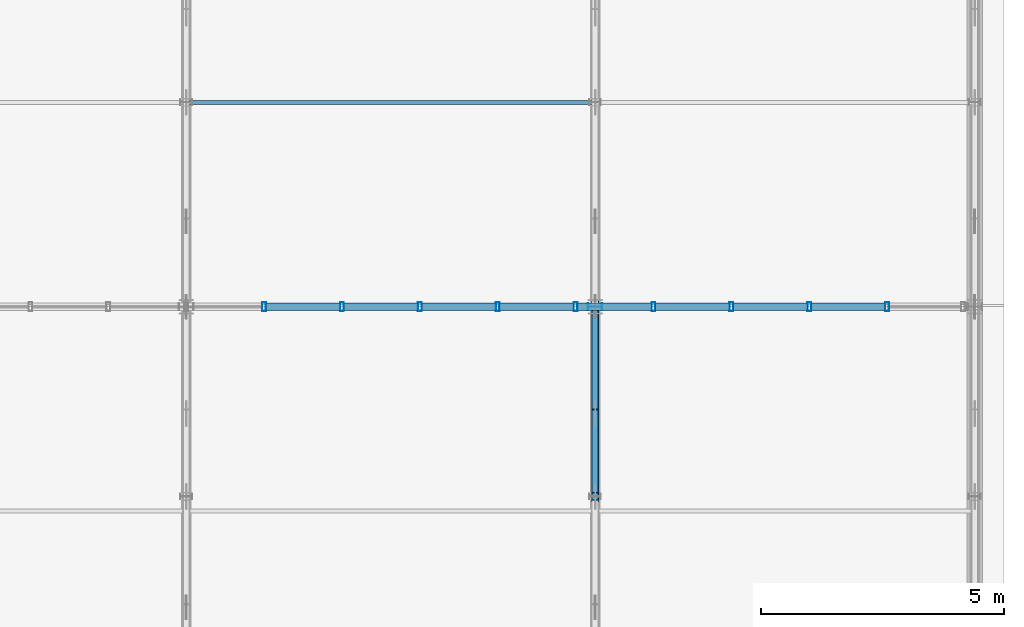
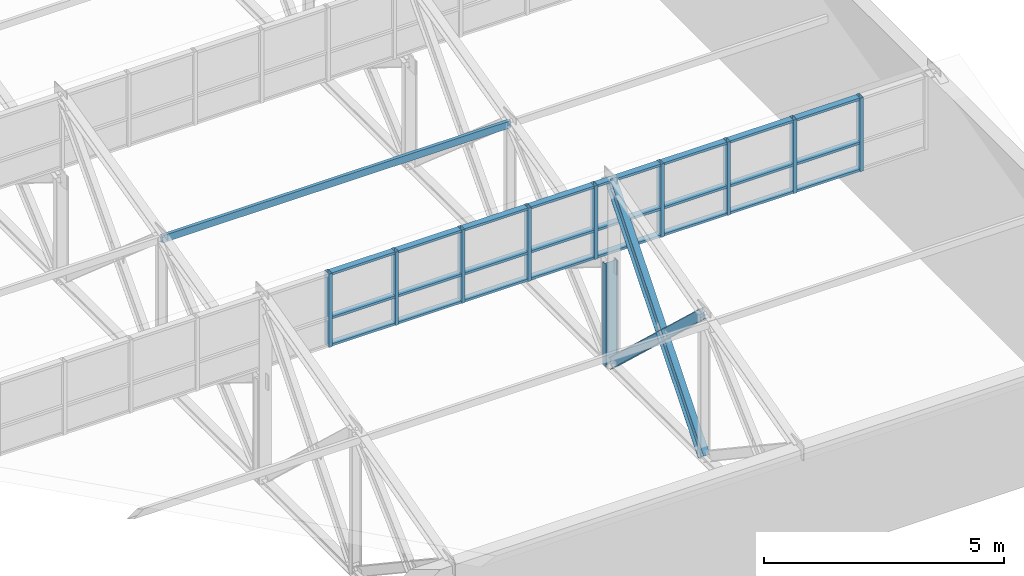
# One storey, part 77 of 123: 38 members, 1 element without a shape of its own.
"""IFC4 building model written with IfcOpenShell, lengths in metres."""

import ifcopenshell
import ifcopenshell.guid

model = None  # the IFC model being written
_history = None  # IfcOwnerHistory: only IFC2X3 demands one
_inside = {}  # id of a spatial element -> (the spatial element, [elements in it])
_under = {}  # id of a project, library or spatial element -> (it, [spatial elements below it])
_declared = {}  # id of a project -> (the project, [libraries it declares])
_typed = {}  # id of a type object -> (the type object, [elements of that type])
_made_of = {}  # id of a material, layer set ... -> (it, [elements and type objects made of it])


def new_model(schema):
    """Start an empty IFC model of exactly this schema.

    Asked for "IFC4X3", IfcOpenShell would pick the latest addendum, in which some entities
    have other attributes; the version numbers below select the first issue.
    IFC2X3 requires an IfcOwnerHistory on every rooted entity: one is made here for all.
    """
    global model, _history
    if schema == "IFC4X3":
        model = ifcopenshell.file(schema_version=(4, 3, 0, 0))
    else:
        model = ifcopenshell.file(schema=schema)
    _inside.clear()
    _under.clear()
    _declared.clear()
    _typed.clear()
    _made_of.clear()
    _history = None
    if model.schema == "IFC2X3":
        org = make("IfcOrganization", Name="unknown")
        user = make(
            "IfcPersonAndOrganization",
            ThePerson=make("IfcPerson", FamilyName="unknown"),
            TheOrganization=org,
        )
        app = make(
            "IfcApplication",
            ApplicationDeveloper=org,
            Version="unknown",
            ApplicationFullName="unknown",
            ApplicationIdentifier="unknown",
        )
        _history = make(
            "IfcOwnerHistory",
            OwningUser=user,
            OwningApplication=app,
            ChangeAction="ADDED",
            CreationDate=0,
        )
    return model


def make(cls, **values):
    """One entity of the class cls with the attributes given. An attribute that is None is left unset."""
    return model.create_entity(
        cls, **{name: value for name, value in values.items() if value is not None}
    )


def rooted(cls, **values):
    """An entity with a GlobalId (a new one), such as an element, a storey or a relation."""
    return make(cls, GlobalId=ifcopenshell.guid.new(), OwnerHistory=_history, **values)


def si_unit(unit_type, name, prefix=None):
    """IfcSIUnit, for example si_unit("LENGTHUNIT", "METRE", prefix="MILLI")."""
    return make("IfcSIUnit", UnitType=unit_type, Prefix=prefix, Name=name)


def assignment(units):
    """IfcUnitAssignment: the units of a project."""
    return None if units is None else make("IfcUnitAssignment", Units=units)


def point(xyz):
    """IfcCartesianPoint."""
    return None if xyz is None else make("IfcCartesianPoint", Coordinates=xyz)


def direction(xyz):
    """IfcDirection."""
    return None if xyz is None else make("IfcDirection", DirectionRatios=xyz)


def frame(location, z_axis=None, x_axis=None):
    """IfcAxis2Placement3D, a coordinate frame: its origin and axes. An axis left out is left unset."""
    return make(
        "IfcAxis2Placement3D",
        Location=point(location),
        Axis=direction(z_axis),
        RefDirection=direction(x_axis),
    )


def frame_2d(location, x_axis=None):
    """IfcAxis2Placement2D, a coordinate frame in the plane: its origin and x axis."""
    return make(
        "IfcAxis2Placement2D", Location=point(location), RefDirection=direction(x_axis)
    )


def origin():
    """The frame at (0, 0, 0) with its axes left unset."""
    return frame((0.0, 0.0, 0.0))


def origin_2d():
    """The frame at (0, 0) in the plane with its x axis left unset."""
    return frame_2d((0.0, 0.0))


def place(relative_to, where):
    """IfcLocalPlacement: puts the frame where relative to a parent placement (None: the world)."""
    return make(
        "IfcLocalPlacement", PlacementRelTo=relative_to, RelativePlacement=where
    )


def context(
    kind, dimensions, precision=None, world=None, true_north=None, identifier=None
):
    """IfcGeometricRepresentationContext, for example the 3D "Model" context."""
    return make(
        "IfcGeometricRepresentationContext",
        ContextIdentifier=identifier,
        ContextType=kind,
        CoordinateSpaceDimension=dimensions,
        Precision=precision,
        WorldCoordinateSystem=world,
        TrueNorth=true_north,
    )


def subcontext(parent, identifier, kind, view, scale=None):
    """IfcGeometricRepresentationSubContext, for example "Body" below "Model"."""
    return make(
        "IfcGeometricRepresentationSubContext",
        ContextIdentifier=identifier,
        ContextType=kind,
        ParentContext=parent,
        TargetScale=scale,
        TargetView=view,
    )


def project(units=None, contexts=None):
    """IfcProject with its units and contexts."""
    return rooted(
        "IfcProject",
        Name="project",
        RepresentationContexts=contexts,
        UnitsInContext=assignment(units),
    )


def spatial(cls, under=None, at=None, **own):
    """A site, building, storey or space (cls), placed at a placement, below another one or the project."""
    s = rooted(cls, ObjectPlacement=at, **own)
    if under is not None:
        _under.setdefault(under.id(), (under, []))[1].append(s)
    return s


def profile(cls, at=None, kind="AREA", **sizes):
    """A parametric profile (cls). Its sizes go by their IFC names, for example OverallWidth=200.0."""
    return make(cls, ProfileType=kind, Position=at, **sizes)


def hollow_rectangle(**sizes):
    """IfcRectangleHollowProfileDef."""
    return profile("IfcRectangleHollowProfileDef", **sizes)


def i_section(**sizes):
    """IfcIShapeProfileDef."""
    return profile("IfcIShapeProfileDef", **sizes)


def extrude(swept, where, along, depth):
    """IfcExtrudedAreaSolid: the profile swept, set in the frame where, extruded along a direction by depth."""
    return make(
        "IfcExtrudedAreaSolid",
        SweptArea=swept,
        Position=where,
        ExtrudedDirection=direction(along),
        Depth=depth,
    )


def shape(context_of_items, identifier, shape_type, items):
    """IfcShapeRepresentation: the items that make up one representation, for example the "Body"."""
    return make(
        "IfcShapeRepresentation",
        ContextOfItems=context_of_items,
        RepresentationIdentifier=identifier,
        RepresentationType=shape_type,
        Items=items,
    )


def material(Name=None, Category=None):
    """IfcMaterial."""
    return make("IfcMaterial", Name=Name, Category=Category)


def layer(
    of_material, thickness, ventilated=None, Name=None, Category=None, Priority=None
):
    """IfcMaterialLayer: one layer of a wall or slab, of a material (None: an air gap)."""
    return make(
        "IfcMaterialLayer",
        Material=of_material,
        LayerThickness=thickness,
        IsVentilated=ventilated,
        Name=Name,
        Category=Category,
        Priority=Priority,
    )


def layer_set(layers, Name=None):
    """IfcMaterialLayerSet."""
    return make("IfcMaterialLayerSet", MaterialLayers=layers, LayerSetName=Name)


def material_profile(
    of_material, cross_section, Name=None, Category=None, Priority=None
):
    """IfcMaterialProfile: a cross section and its material."""
    return make(
        "IfcMaterialProfile",
        Name=Name,
        Material=of_material,
        Profile=cross_section,
        Priority=Priority,
        Category=Category,
    )


def profile_set(profiles, Name=None, composite=None):
    """IfcMaterialProfileSet."""
    return make(
        "IfcMaterialProfileSet",
        Name=Name,
        MaterialProfiles=profiles,
        CompositeProfile=composite,
    )


def made_of(thing, what):
    """Note that an element or type object is made of a material, layer set ...; save() writes the relation."""
    if what is not None:
        _made_of.setdefault(what.id(), (what, []))[1].append(thing)
    return thing


def type_object(cls, material=None, **own):
    """A type object (cls), such as IfcWallType, which elements share."""
    return made_of(rooted(cls, **own), material)


def element(
    cls,
    number,
    at=None,
    inside=None,
    cuts=None,
    type_object=None,
    material=None,
    context=None,
    identifier="Body",
    shape_type=None,
    held_by="IfcProductDefinitionShape",
    body=None,
    shapes=None,
    **own,
):
    """One element of the class cls, such as IfcWall. Its Tag is "e" and its number.

    at: its placement. inside: the storey or other place that contains it. cuts: it is an
    opening in that element (IfcRelVoidsElement). A single representation is given by context,
    identifier, shape_type and body (its items); several are given by shapes. held_by: the class
    of the entity that holds the representations. save() writes the other relations.
    """
    e = rooted(cls, Tag="e%d" % number, ObjectPlacement=at, **own)
    if body is not None:
        shapes = [shape(context, identifier, shape_type, body)]
    if shapes is not None:
        e.Representation = make(held_by, Representations=shapes)
    if inside is not None:
        _inside.setdefault(inside.id(), (inside, []))[1].append(e)
    if cuts is not None:
        rooted(
            "IfcRelVoidsElement", RelatingBuildingElement=cuts, RelatedOpeningElement=e
        )
    if type_object is not None:
        _typed.setdefault(type_object.id(), (type_object, []))[1].append(e)
    return made_of(e, material)


def aggregate(whole, parts):
    """IfcRelAggregates: a whole, such as a stair, and the parts it consists of."""
    return rooted("IfcRelAggregates", RelatingObject=whole, RelatedObjects=parts)


def save(model, path):
    """Write the relations noted so far, then the file.

    IfcRelAggregates (storeys below a building ...), IfcRelContainedInSpatialStructure (elements
    in a storey), IfcRelDefinesByType, IfcRelAssociatesMaterial and IfcRelDeclares: one each for
    every whole, place, type object, material and project.
    """
    for whole, parts in _under.values():
        aggregate(whole, parts)
    for where, things in _inside.values():
        rooted(
            "IfcRelContainedInSpatialStructure",
            RelatedElements=things,
            RelatingStructure=where,
        )
    for kind, things in _typed.values():
        rooted("IfcRelDefinesByType", RelatedObjects=things, RelatingType=kind)
    for what, things in _made_of.values():
        rooted("IfcRelAssociatesMaterial", RelatedObjects=things, RelatingMaterial=what)
    for by, libraries in _declared.values():
        rooted("IfcRelDeclares", RelatingContext=by, RelatedDefinitions=libraries)
    model.write(path)


model = new_model("IFC4")

# Units and contexts
model_context = context("Model", 3, precision=1e-05, world=origin(), true_north=direction((0.0, 1.0)))
body_context = subcontext(model_context, "Body", "Model", "MODEL_VIEW")
ifc_project = project(units=[si_unit("LENGTHUNIT", "METRE"), si_unit("AREAUNIT", "SQUARE_METRE"), si_unit("VOLUMEUNIT", "CUBIC_METRE"), si_unit("PLANEANGLEUNIT", "RADIAN"), si_unit("MASSUNIT", "GRAM", prefix="KILO")], contexts=[model_context])

# Site, building, storey
site_placement = place(None, origin())
site = spatial("IfcSite", under=ifc_project, at=site_placement, CompositionType="ELEMENT")
building_placement = place(site_placement, origin())
building = spatial("IfcBuilding", under=site, at=building_placement, Name="Zayran Congress Hotel", CompositionType="ELEMENT")
storey_placement = place(building_placement, frame((0.0, 0.0, 15.0)))
storey = spatial("IfcBuildingStorey", under=building, at=storey_placement, Name="L03", CompositionType="ELEMENT", Elevation=15.0)

# Members
ifc_material_1 = material(Name="Steel S355", Category="steel")
ifc_material_profile_1 = material_profile(ifc_material_1, i_section(OverallWidth=0.14990234375, OverallDepth=0.300048828125, WebThickness=0.007080078125, FlangeThickness=0.0107421875, at=origin_2d()), Name="IPE 300")
ifc_profile_set_1 = profile_set([ifc_material_profile_1], Name="Steel S355")
member_type_1 = type_object("IfcMemberType", Name="TP-TR-BR1", PredefinedType="BRACE", material=ifc_profile_set_1)
member_1_placement = place(storey_placement, frame((176.39990234375, 13.300048828125, 0.0), z_axis=(0.0, 0.639018966279, 0.769190978065), x_axis=(-1.0, 0.0, 0.0)))
element("IfcMember", 1, at=member_1_placement, inside=storey, type_object=member_type_1, Name="Sawtooth Truss Diagonal Bay2 162", PredefinedType="BRACE", context=body_context, shape_type="SweptSolid", body=[
    extrude(i_section(OverallWidth=0.14990234375, OverallDepth=0.300048828125, WebThickness=0.007080078125, FlangeThickness=0.0107421875, at=origin_2d()), origin(), (0.0, 0.0, 1.0), 6.10302734375),
])
member_2_placement = place(storey_placement, frame((176.39990234375, 17.199951171875, 0.0), z_axis=(0.0, 0.0, 1.0), x_axis=(0.0, 1.0, 0.0)))
element("IfcMember", 2, at=member_2_placement, inside=storey, type_object=member_type_1, Name="TRV-01 Sawtooth Truss Strut", PredefinedType="BRACE", context=body_context, shape_type="SweptSolid", body=[
    extrude(i_section(OverallWidth=0.14990234375, OverallDepth=0.300048828125, WebThickness=0.007080078125, FlangeThickness=0.0107421875, at=origin_2d()), origin(), (0.0, 0.0, 1.0), 2.60009765625),
])
ifc_material_profile_2 = material_profile(ifc_material_1, i_section(OverallWidth=0.1201171875, OverallDepth=0.239990234375, WebThickness=0.006103515625, FlangeThickness=0.009765625, at=origin_2d()), Name="IPE 240")
ifc_profile_set_2 = profile_set([ifc_material_profile_2], Name="Steel S355")
member_type_2 = type_object("IfcMemberType", Name="TP-TR-BR2", PredefinedType="BRACE", material=ifc_profile_set_2)
member_3_placement = place(storey_placement, frame((176.39990234375, 13.300048828125, 3.647216796875), z_axis=(0.0, 0.730340857111, -0.683082888407), x_axis=(-1.0, 0.0, 0.0)))
element("IfcMember", 3, at=member_3_placement, inside=storey, type_object=member_type_2, Name="Sawtooth Truss Counter Diagonal Bay2 Upper 163", PredefinedType="BRACE", context=body_context, shape_type="SweptSolid", body=[
    extrude(i_section(OverallWidth=0.1201171875, OverallDepth=0.239990234375, WebThickness=0.006103515625, FlangeThickness=0.009765625, at=origin_2d()), origin(), (0.0, 0.0, 1.0), 2.319580078125),
])
member_4_placement = place(storey_placement, frame((176.39990234375, 15.01611328125, 2.042236328125), z_axis=(0.0, 0.7303896686, -0.683030696237), x_axis=(-1.0, 0.0, 0.0)))
element("IfcMember", 4, at=member_4_placement, inside=storey, type_object=member_type_2, Name="Sawtooth Truss Counter Diagonal Bay2 Lower 164", PredefinedType="BRACE", context=body_context, shape_type="SweptSolid", body=[
    extrude(i_section(OverallWidth=0.1201171875, OverallDepth=0.239990234375, WebThickness=0.006103515625, FlangeThickness=0.009765625, at=origin_2d()), origin(), (0.0, 0.0, 1.0), 2.989990234375),
])
ifc_material_profile_3 = material_profile(ifc_material_1, hollow_rectangle(XDim=0.080078125, YDim=0.179931640625, WallThickness=0.0048828125, at=origin_2d()), Name="RHS 180x80x5")
ifc_profile_set_3 = profile_set([ifc_material_profile_3], Name="Steel S355")
member_type_3 = type_object("IfcMemberType", Name="TP-PR-02", PredefinedType="PURLIN", material=ifc_profile_set_3)
member_5_placement = place(storey_placement, frame((168.0, 21.39990234375, 3.572265625), z_axis=(1.0, 0.0, 0.0), x_axis=(0.0, 1.0, 0.0)))
element("IfcMember", 5, at=member_5_placement, inside=storey, type_object=member_type_3, Name="MEM-PR-V3-0207", PredefinedType="PURLIN", context=body_context, shape_type="SweptSolid", body=[
    extrude(hollow_rectangle(XDim=0.080078125, YDim=0.179931640625, WallThickness=0.0048828125, at=origin_2d()), origin(), (0.0, 0.0, 1.0), 8.39990234375),
])

# Curtain wall, members
ifc_material_2 = material(Name="Anodised aluminium and low-E insulated glass", Category="aluminium")
ifc_layer = layer(ifc_material_2, 0.179931640625)
ifc_layer_set = layer_set([ifc_layer], Name="Anodised aluminium and low-E insulated glass")
curtain_wall_type = type_object("IfcCurtainWallType", Name="CW-V3SAW-L03-CW-V31-32000-1870", PredefinedType="USERDEFINED", material=ifc_layer_set)
curtain_wall_placement = place(storey_placement, origin())
curtain_wall = element("IfcCurtainWall", 6, at=curtain_wall_placement, inside=storey, type_object=curtain_wall_type, Name="CW-V3SAW-1", ObjectType="CURTAIN WALL", PredefinedType="USERDEFINED")
ifc_material_3 = material(Name="Anodised aluminium framing", Category="aluminium")
ifc_material_profile_4 = material_profile(ifc_material_3, hollow_rectangle(XDim=0.080078125, YDim=0.179931640625, WallThickness=0.0048828125, at=origin_2d()), Name="RHS 180x80x5")
ifc_profile_set_4 = profile_set([ifc_material_profile_4], Name="Anodised aluminium framing")
member_type_4 = type_object("IfcMemberType", Name="TP-CWM-01", PredefinedType="MULLION", material=ifc_profile_set_4)
member_6_placement = place(storey_placement, frame((182.39990234375, 17.199951171875, 2.85009765625), z_axis=(0.0, 0.0, 1.0), x_axis=(1.0, 0.0, 0.0)))
member_6 = element("IfcMember", 7, at=member_6_placement, type_object=member_type_4, Name="CW-V3SAW-1-M01", PredefinedType="MULLION", context=body_context, shape_type="SweptSolid", body=[
    extrude(hollow_rectangle(XDim=0.080078125, YDim=0.179931640625, WallThickness=0.0048828125, at=origin_2d()), origin(), (0.0, 0.0, 1.0), 1.869873046875),
])
member_7_placement = place(storey_placement, frame((180.800048828125, 17.199951171875, 2.85009765625), z_axis=(0.0, 0.0, 1.0), x_axis=(1.0, 0.0, 0.0)))
member_7 = element("IfcMember", 8, at=member_7_placement, type_object=member_type_4, Name="CW-V3SAW-1-M02", PredefinedType="MULLION", context=body_context, shape_type="SweptSolid", body=[
    extrude(hollow_rectangle(XDim=0.080078125, YDim=0.179931640625, WallThickness=0.0048828125, at=origin_2d()), origin(), (0.0, 0.0, 1.0), 1.869873046875),
])
member_8_placement = place(storey_placement, frame((179.199951171875, 17.199951171875, 2.85009765625), z_axis=(0.0, 0.0, 1.0), x_axis=(1.0, 0.0, 0.0)))
member_8 = element("IfcMember", 9, at=member_8_placement, type_object=member_type_4, Name="CW-V3SAW-1-M03", PredefinedType="MULLION", context=body_context, shape_type="SweptSolid", body=[
    extrude(hollow_rectangle(XDim=0.080078125, YDim=0.179931640625, WallThickness=0.0048828125, at=origin_2d()), origin(), (0.0, 0.0, 1.0), 1.869873046875),
])
member_9_placement = place(storey_placement, frame((177.60009765625, 17.199951171875, 2.85009765625), z_axis=(0.0, 0.0, 1.0), x_axis=(1.0, 0.0, 0.0)))
member_9 = element("IfcMember", 10, at=member_9_placement, type_object=member_type_4, Name="CW-V3SAW-1-M04", PredefinedType="MULLION", context=body_context, shape_type="SweptSolid", body=[
    extrude(hollow_rectangle(XDim=0.080078125, YDim=0.179931640625, WallThickness=0.0048828125, at=origin_2d()), origin(), (0.0, 0.0, 1.0), 1.869873046875),
])
member_10_placement = place(storey_placement, frame((176.0, 17.199951171875, 2.85009765625), z_axis=(0.0, 0.0, 1.0), x_axis=(1.0, 0.0, 0.0)))
member_10 = element("IfcMember", 11, at=member_10_placement, type_object=member_type_4, Name="CW-V3SAW-1-M05", PredefinedType="MULLION", context=body_context, shape_type="SweptSolid", body=[
    extrude(hollow_rectangle(XDim=0.080078125, YDim=0.179931640625, WallThickness=0.0048828125, at=origin_2d()), origin(), (0.0, 0.0, 1.0), 1.869873046875),
])
member_11_placement = place(storey_placement, frame((174.39990234375, 17.199951171875, 2.85009765625), z_axis=(0.0, 0.0, 1.0), x_axis=(1.0, 0.0, 0.0)))
member_11 = element("IfcMember", 12, at=member_11_placement, type_object=member_type_4, Name="CW-V3SAW-1-M06", PredefinedType="MULLION", context=body_context, shape_type="SweptSolid", body=[
    extrude(hollow_rectangle(XDim=0.080078125, YDim=0.179931640625, WallThickness=0.0048828125, at=origin_2d()), origin(), (0.0, 0.0, 1.0), 1.869873046875),
])
member_12_placement = place(storey_placement, frame((172.800048828125, 17.199951171875, 2.85009765625), z_axis=(0.0, 0.0, 1.0), x_axis=(1.0, 0.0, 0.0)))
member_12 = element("IfcMember", 13, at=member_12_placement, type_object=member_type_4, Name="CW-V3SAW-1-M07", PredefinedType="MULLION", context=body_context, shape_type="SweptSolid", body=[
    extrude(hollow_rectangle(XDim=0.080078125, YDim=0.179931640625, WallThickness=0.0048828125, at=origin_2d()), origin(), (0.0, 0.0, 1.0), 1.869873046875),
])
member_13_placement = place(storey_placement, frame((171.199951171875, 17.199951171875, 2.85009765625), z_axis=(0.0, 0.0, 1.0), x_axis=(1.0, 0.0, 0.0)))
member_13 = element("IfcMember", 14, at=member_13_placement, type_object=member_type_4, Name="CW-V3SAW-1-M08", PredefinedType="MULLION", context=body_context, shape_type="SweptSolid", body=[
    extrude(hollow_rectangle(XDim=0.080078125, YDim=0.179931640625, WallThickness=0.0048828125, at=origin_2d()), origin(), (0.0, 0.0, 1.0), 1.869873046875),
])
member_14_placement = place(storey_placement, frame((169.60009765625, 17.199951171875, 2.85009765625), z_axis=(0.0, 0.0, 1.0), x_axis=(1.0, 0.0, 0.0)))
member_14 = element("IfcMember", 15, at=member_14_placement, type_object=member_type_4, Name="CW-V3SAW-1-M09", PredefinedType="MULLION", context=body_context, shape_type="SweptSolid", body=[
    extrude(hollow_rectangle(XDim=0.080078125, YDim=0.179931640625, WallThickness=0.0048828125, at=origin_2d()), origin(), (0.0, 0.0, 1.0), 1.869873046875),
])
ifc_material_profile_5 = material_profile(ifc_material_3, hollow_rectangle(XDim=0.06005859375, YDim=0.14990234375, WallThickness=0.00390625, at=origin_2d()), Name="RHS 150x60x4")
ifc_profile_set_5 = profile_set([ifc_material_profile_5], Name="Anodised aluminium framing")
member_type_5 = type_object("IfcMemberType", Name="TP-CWT-01", PredefinedType="USERDEFINED", material=ifc_profile_set_5)
member_15_placement = place(storey_placement, frame((182.360107421875, 17.199951171875, 2.8798828125), z_axis=(-1.0, 0.0, 0.0), x_axis=(0.0, 0.0, 1.0)))
member_15 = element("IfcMember", 16, at=member_15_placement, type_object=member_type_5, Name="CW-V3SAW-1-T01-0", ObjectType="TRANSOM", PredefinedType="USERDEFINED", context=body_context, shape_type="SweptSolid", body=[
    extrude(hollow_rectangle(XDim=0.06005859375, YDim=0.14990234375, WallThickness=0.00390625, at=origin_2d()), origin(), (0.0, 0.0, 1.0), 1.52001953125),
])
member_16_placement = place(storey_placement, frame((182.360107421875, 17.199951171875, 3.570068359375), z_axis=(-1.0, 0.0, 0.0), x_axis=(0.0, 0.0, 1.0)))
member_16 = element("IfcMember", 17, at=member_16_placement, type_object=member_type_5, Name="CW-V3SAW-1-T01-1", ObjectType="TRANSOM", PredefinedType="USERDEFINED", context=body_context, shape_type="SweptSolid", body=[
    extrude(hollow_rectangle(XDim=0.06005859375, YDim=0.14990234375, WallThickness=0.00390625, at=origin_2d()), origin(), (0.0, 0.0, 1.0), 1.52001953125),
])
member_17_placement = place(storey_placement, frame((182.360107421875, 17.199951171875, 4.68994140625), z_axis=(-1.0, 0.0, 0.0), x_axis=(0.0, 0.0, 1.0)))
member_17 = element("IfcMember", 18, at=member_17_placement, type_object=member_type_5, Name="CW-V3SAW-1-T01-2", ObjectType="TRANSOM", PredefinedType="USERDEFINED", context=body_context, shape_type="SweptSolid", body=[
    extrude(hollow_rectangle(XDim=0.06005859375, YDim=0.14990234375, WallThickness=0.00390625, at=origin_2d()), origin(), (0.0, 0.0, 1.0), 1.52001953125),
])
member_18_placement = place(storey_placement, frame((180.760009765625, 17.199951171875, 2.8798828125), z_axis=(-1.0, 0.0, 0.0), x_axis=(0.0, 0.0, 1.0)))
member_18 = element("IfcMember", 19, at=member_18_placement, type_object=member_type_5, Name="CW-V3SAW-1-T02-0", ObjectType="TRANSOM", PredefinedType="USERDEFINED", context=body_context, shape_type="SweptSolid", body=[
    extrude(hollow_rectangle(XDim=0.06005859375, YDim=0.14990234375, WallThickness=0.00390625, at=origin_2d()), origin(), (0.0, 0.0, 1.0), 1.52001953125),
])
member_19_placement = place(storey_placement, frame((180.760009765625, 17.199951171875, 3.570068359375), z_axis=(-1.0, 0.0, 0.0), x_axis=(0.0, 0.0, 1.0)))
member_19 = element("IfcMember", 20, at=member_19_placement, type_object=member_type_5, Name="CW-V3SAW-1-T02-1", ObjectType="TRANSOM", PredefinedType="USERDEFINED", context=body_context, shape_type="SweptSolid", body=[
    extrude(hollow_rectangle(XDim=0.06005859375, YDim=0.14990234375, WallThickness=0.00390625, at=origin_2d()), origin(), (0.0, 0.0, 1.0), 1.52001953125),
])
member_20_placement = place(storey_placement, frame((180.760009765625, 17.199951171875, 4.68994140625), z_axis=(-1.0, 0.0, 0.0), x_axis=(0.0, 0.0, 1.0)))
member_20 = element("IfcMember", 21, at=member_20_placement, type_object=member_type_5, Name="CW-V3SAW-1-T02-2", ObjectType="TRANSOM", PredefinedType="USERDEFINED", context=body_context, shape_type="SweptSolid", body=[
    extrude(hollow_rectangle(XDim=0.06005859375, YDim=0.14990234375, WallThickness=0.00390625, at=origin_2d()), origin(), (0.0, 0.0, 1.0), 1.52001953125),
])
member_21_placement = place(storey_placement, frame((179.159912109375, 17.199951171875, 2.8798828125), z_axis=(-1.0, 0.0, 0.0), x_axis=(0.0, 0.0, 1.0)))
member_21 = element("IfcMember", 22, at=member_21_placement, type_object=member_type_5, Name="CW-V3SAW-1-T03-0", ObjectType="TRANSOM", PredefinedType="USERDEFINED", context=body_context, shape_type="SweptSolid", body=[
    extrude(hollow_rectangle(XDim=0.06005859375, YDim=0.14990234375, WallThickness=0.00390625, at=origin_2d()), origin(), (0.0, 0.0, 1.0), 1.52001953125),
])
member_22_placement = place(storey_placement, frame((179.159912109375, 17.199951171875, 3.570068359375), z_axis=(-1.0, 0.0, 0.0), x_axis=(0.0, 0.0, 1.0)))
member_22 = element("IfcMember", 23, at=member_22_placement, type_object=member_type_5, Name="CW-V3SAW-1-T03-1", ObjectType="TRANSOM", PredefinedType="USERDEFINED", context=body_context, shape_type="SweptSolid", body=[
    extrude(hollow_rectangle(XDim=0.06005859375, YDim=0.14990234375, WallThickness=0.00390625, at=origin_2d()), origin(), (0.0, 0.0, 1.0), 1.52001953125),
])
member_23_placement = place(storey_placement, frame((179.159912109375, 17.199951171875, 4.68994140625), z_axis=(-1.0, 0.0, 0.0), x_axis=(0.0, 0.0, 1.0)))
member_23 = element("IfcMember", 24, at=member_23_placement, type_object=member_type_5, Name="CW-V3SAW-1-T03-2", ObjectType="TRANSOM", PredefinedType="USERDEFINED", context=body_context, shape_type="SweptSolid", body=[
    extrude(hollow_rectangle(XDim=0.06005859375, YDim=0.14990234375, WallThickness=0.00390625, at=origin_2d()), origin(), (0.0, 0.0, 1.0), 1.52001953125),
])
member_24_placement = place(storey_placement, frame((177.56005859375, 17.199951171875, 2.8798828125), z_axis=(-1.0, 0.0, 0.0), x_axis=(0.0, 0.0, 1.0)))
member_24 = element("IfcMember", 25, at=member_24_placement, type_object=member_type_5, Name="CW-V3SAW-1-T04-0", ObjectType="TRANSOM", PredefinedType="USERDEFINED", context=body_context, shape_type="SweptSolid", body=[
    extrude(hollow_rectangle(XDim=0.06005859375, YDim=0.14990234375, WallThickness=0.00390625, at=origin_2d()), origin(), (0.0, 0.0, 1.0), 1.52001953125),
])
member_25_placement = place(storey_placement, frame((177.56005859375, 17.199951171875, 3.570068359375), z_axis=(-1.0, 0.0, 0.0), x_axis=(0.0, 0.0, 1.0)))
member_25 = element("IfcMember", 26, at=member_25_placement, type_object=member_type_5, Name="CW-V3SAW-1-T04-1", ObjectType="TRANSOM", PredefinedType="USERDEFINED", context=body_context, shape_type="SweptSolid", body=[
    extrude(hollow_rectangle(XDim=0.06005859375, YDim=0.14990234375, WallThickness=0.00390625, at=origin_2d()), origin(), (0.0, 0.0, 1.0), 1.52001953125),
])
member_26_placement = place(storey_placement, frame((177.56005859375, 17.199951171875, 4.68994140625), z_axis=(-1.0, 0.0, 0.0), x_axis=(0.0, 0.0, 1.0)))
member_26 = element("IfcMember", 27, at=member_26_placement, type_object=member_type_5, Name="CW-V3SAW-1-T04-2", ObjectType="TRANSOM", PredefinedType="USERDEFINED", context=body_context, shape_type="SweptSolid", body=[
    extrude(hollow_rectangle(XDim=0.06005859375, YDim=0.14990234375, WallThickness=0.00390625, at=origin_2d()), origin(), (0.0, 0.0, 1.0), 1.52001953125),
])
member_27_placement = place(storey_placement, frame((175.9599609375, 17.199951171875, 2.8798828125), z_axis=(-1.0, 0.0, 0.0), x_axis=(0.0, 0.0, 1.0)))
member_27 = element("IfcMember", 28, at=member_27_placement, type_object=member_type_5, Name="CW-V3SAW-1-T05-0", ObjectType="TRANSOM", PredefinedType="USERDEFINED", context=body_context, shape_type="SweptSolid", body=[
    extrude(hollow_rectangle(XDim=0.06005859375, YDim=0.14990234375, WallThickness=0.00390625, at=origin_2d()), origin(), (0.0, 0.0, 1.0), 1.52001953125),
])
member_28_placement = place(storey_placement, frame((175.9599609375, 17.199951171875, 3.570068359375), z_axis=(-1.0, 0.0, 0.0), x_axis=(0.0, 0.0, 1.0)))
member_28 = element("IfcMember", 29, at=member_28_placement, type_object=member_type_5, Name="CW-V3SAW-1-T05-1", ObjectType="TRANSOM", PredefinedType="USERDEFINED", context=body_context, shape_type="SweptSolid", body=[
    extrude(hollow_rectangle(XDim=0.06005859375, YDim=0.14990234375, WallThickness=0.00390625, at=origin_2d()), origin(), (0.0, 0.0, 1.0), 1.52001953125),
])
member_29_placement = place(storey_placement, frame((175.9599609375, 17.199951171875, 4.68994140625), z_axis=(-1.0, 0.0, 0.0), x_axis=(0.0, 0.0, 1.0)))
member_29 = element("IfcMember", 30, at=member_29_placement, type_object=member_type_5, Name="CW-V3SAW-1-T05-2", ObjectType="TRANSOM", PredefinedType="USERDEFINED", context=body_context, shape_type="SweptSolid", body=[
    extrude(hollow_rectangle(XDim=0.06005859375, YDim=0.14990234375, WallThickness=0.00390625, at=origin_2d()), origin(), (0.0, 0.0, 1.0), 1.52001953125),
])
member_30_placement = place(storey_placement, frame((174.360107421875, 17.199951171875, 2.8798828125), z_axis=(-1.0, 0.0, 0.0), x_axis=(0.0, 0.0, 1.0)))
member_30 = element("IfcMember", 31, at=member_30_placement, type_object=member_type_5, Name="CW-V3SAW-1-T06-0", ObjectType="TRANSOM", PredefinedType="USERDEFINED", context=body_context, shape_type="SweptSolid", body=[
    extrude(hollow_rectangle(XDim=0.06005859375, YDim=0.14990234375, WallThickness=0.00390625, at=origin_2d()), origin(), (0.0, 0.0, 1.0), 1.52001953125),
])
member_31_placement = place(storey_placement, frame((174.360107421875, 17.199951171875, 3.570068359375), z_axis=(-1.0, 0.0, 0.0), x_axis=(0.0, 0.0, 1.0)))
member_31 = element("IfcMember", 32, at=member_31_placement, type_object=member_type_5, Name="CW-V3SAW-1-T06-1", ObjectType="TRANSOM", PredefinedType="USERDEFINED", context=body_context, shape_type="SweptSolid", body=[
    extrude(hollow_rectangle(XDim=0.06005859375, YDim=0.14990234375, WallThickness=0.00390625, at=origin_2d()), origin(), (0.0, 0.0, 1.0), 1.52001953125),
])
member_32_placement = place(storey_placement, frame((174.360107421875, 17.199951171875, 4.68994140625), z_axis=(-1.0, 0.0, 0.0), x_axis=(0.0, 0.0, 1.0)))
member_32 = element("IfcMember", 33, at=member_32_placement, type_object=member_type_5, Name="CW-V3SAW-1-T06-2", ObjectType="TRANSOM", PredefinedType="USERDEFINED", context=body_context, shape_type="SweptSolid", body=[
    extrude(hollow_rectangle(XDim=0.06005859375, YDim=0.14990234375, WallThickness=0.00390625, at=origin_2d()), origin(), (0.0, 0.0, 1.0), 1.52001953125),
])
member_33_placement = place(storey_placement, frame((172.760009765625, 17.199951171875, 2.8798828125), z_axis=(-1.0, 0.0, 0.0), x_axis=(0.0, 0.0, 1.0)))
member_33 = element("IfcMember", 34, at=member_33_placement, type_object=member_type_5, Name="CW-V3SAW-1-T07-0", ObjectType="TRANSOM", PredefinedType="USERDEFINED", context=body_context, shape_type="SweptSolid", body=[
    extrude(hollow_rectangle(XDim=0.06005859375, YDim=0.14990234375, WallThickness=0.00390625, at=origin_2d()), origin(), (0.0, 0.0, 1.0), 1.52001953125),
])
member_34_placement = place(storey_placement, frame((172.760009765625, 17.199951171875, 3.570068359375), z_axis=(-1.0, 0.0, 0.0), x_axis=(0.0, 0.0, 1.0)))
member_34 = element("IfcMember", 35, at=member_34_placement, type_object=member_type_5, Name="CW-V3SAW-1-T07-1", ObjectType="TRANSOM", PredefinedType="USERDEFINED", context=body_context, shape_type="SweptSolid", body=[
    extrude(hollow_rectangle(XDim=0.06005859375, YDim=0.14990234375, WallThickness=0.00390625, at=origin_2d()), origin(), (0.0, 0.0, 1.0), 1.52001953125),
])
member_35_placement = place(storey_placement, frame((172.760009765625, 17.199951171875, 4.68994140625), z_axis=(-1.0, 0.0, 0.0), x_axis=(0.0, 0.0, 1.0)))
member_35 = element("IfcMember", 36, at=member_35_placement, type_object=member_type_5, Name="CW-V3SAW-1-T07-2", ObjectType="TRANSOM", PredefinedType="USERDEFINED", context=body_context, shape_type="SweptSolid", body=[
    extrude(hollow_rectangle(XDim=0.06005859375, YDim=0.14990234375, WallThickness=0.00390625, at=origin_2d()), origin(), (0.0, 0.0, 1.0), 1.52001953125),
])
member_36_placement = place(storey_placement, frame((171.159912109375, 17.199951171875, 2.8798828125), z_axis=(-1.0, 0.0, 0.0), x_axis=(0.0, 0.0, 1.0)))
member_36 = element("IfcMember", 37, at=member_36_placement, type_object=member_type_5, Name="CW-V3SAW-1-T08-0", ObjectType="TRANSOM", PredefinedType="USERDEFINED", context=body_context, shape_type="SweptSolid", body=[
    extrude(hollow_rectangle(XDim=0.06005859375, YDim=0.14990234375, WallThickness=0.00390625, at=origin_2d()), origin(), (0.0, 0.0, 1.0), 1.52001953125),
])
member_37_placement = place(storey_placement, frame((171.159912109375, 17.199951171875, 3.570068359375), z_axis=(-1.0, 0.0, 0.0), x_axis=(0.0, 0.0, 1.0)))
member_37 = element("IfcMember", 38, at=member_37_placement, type_object=member_type_5, Name="CW-V3SAW-1-T08-1", ObjectType="TRANSOM", PredefinedType="USERDEFINED", context=body_context, shape_type="SweptSolid", body=[
    extrude(hollow_rectangle(XDim=0.06005859375, YDim=0.14990234375, WallThickness=0.00390625, at=origin_2d()), origin(), (0.0, 0.0, 1.0), 1.52001953125),
])
member_38_placement = place(storey_placement, frame((171.159912109375, 17.199951171875, 4.68994140625), z_axis=(-1.0, 0.0, 0.0), x_axis=(0.0, 0.0, 1.0)))
member_38 = element("IfcMember", 39, at=member_38_placement, type_object=member_type_5, Name="CW-V3SAW-1-T08-2", ObjectType="TRANSOM", PredefinedType="USERDEFINED", context=body_context, shape_type="SweptSolid", body=[
    extrude(hollow_rectangle(XDim=0.06005859375, YDim=0.14990234375, WallThickness=0.00390625, at=origin_2d()), origin(), (0.0, 0.0, 1.0), 1.52001953125),
])
aggregate(curtain_wall, [member_6, member_7, member_8, member_9, member_10, member_11, member_12, member_13, member_14, member_15, member_16, member_17, member_18, member_19, member_20, member_21, member_22, member_23, member_24, member_25, member_26, member_27, member_28, member_29, member_30, member_31, member_32, member_33, member_34, member_35, member_36, member_37, member_38])

save(model, "model.ifc")
